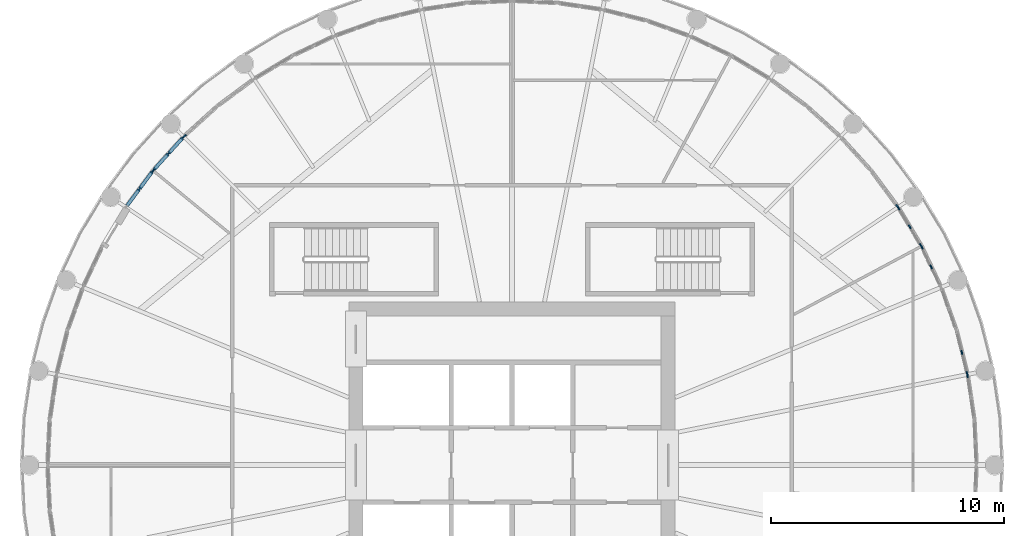
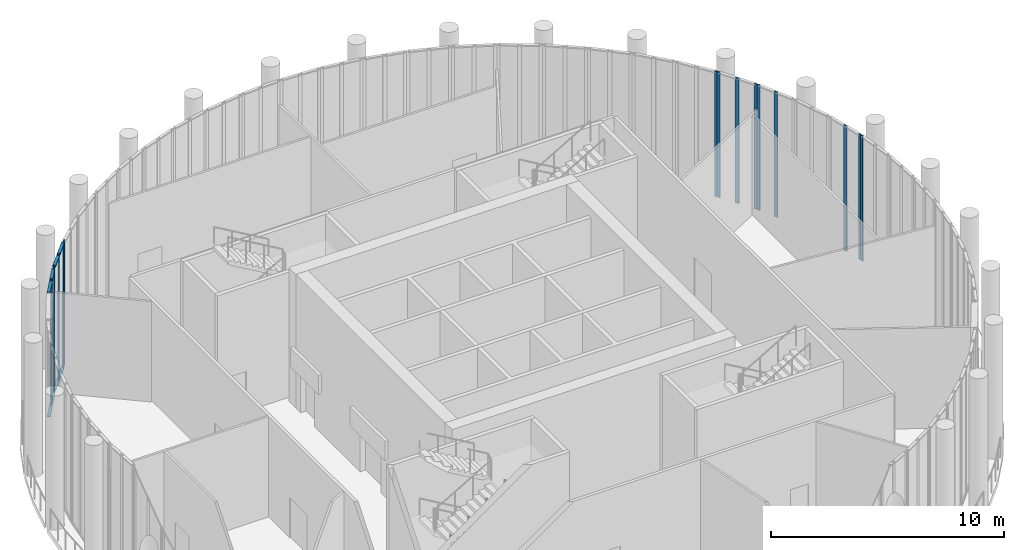
# One storey, part 6 of 21: 23 members, 8 elements without a shape of their own.
"""IFC4 building model written with IfcOpenShell, lengths in metres."""

from ifc_helpers import new_model, si_unit, direction, frame, origin, origin_2d, place, context, subcontext, project, spatial, rectangle, extrude, material, material_profile, profile_set, type_object, element, aggregate, save


model = new_model("IFC4")

# Units and contexts
model_context = context("Model", 3, precision=1e-05, world=origin(), true_north=direction((0.0, 1.0)))
body_context = subcontext(model_context, "Body", "Model", "MODEL_VIEW")
ifc_project = project(units=[si_unit("LENGTHUNIT", "METRE"), si_unit("AREAUNIT", "SQUARE_METRE"), si_unit("VOLUMEUNIT", "CUBIC_METRE"), si_unit("PLANEANGLEUNIT", "RADIAN"), si_unit("MASSUNIT", "GRAM", prefix="KILO")], contexts=[model_context])

# Site, building, storey
site_placement = place(None, origin())
site = spatial("IfcSite", under=ifc_project, at=site_placement, CompositionType="ELEMENT")
building_placement = place(site_placement, origin())
building = spatial("IfcBuilding", under=site, at=building_placement, Name="Corvane Civic Tower", CompositionType="ELEMENT")
storey_placement = place(building_placement, frame((0.0, 0.0, 380.5)))
storey = spatial("IfcBuildingStorey", under=building, at=storey_placement, Name="L91", CompositionType="ELEMENT", Elevation=380.5)

# Curtain wall, member
ifc_material_1 = material(Name="Aluminium and glass", Category="aluminium")
curtain_wall_type = type_object("IfcCurtainWallType", Name="CROWN-CW-O-RUN", PredefinedType="NOTDEFINED", material=ifc_material_1)
curtain_wall_1_placement = place(storey_placement, origin())
curtain_wall_1 = element("IfcCurtainWall", 1, at=curtain_wall_1_placement, inside=storey, type_object=curtain_wall_type, Name="CW-O run L91 8", PredefinedType="NOTDEFINED")
ifc_material_2 = material(Name="Anodised aluminium bronze", Category="aluminium")
ifc_material_profile_1 = material_profile(ifc_material_2, rectangle(XDim=0.06005859375, YDim=0.179931640625, at=origin_2d()), Name="AL 60x180")
ifc_profile_set_1 = profile_set([ifc_material_profile_1], Name="Anodised aluminium bronze")
member_type_1 = type_object("IfcMemberType", Name="CROWN-CWO-MULLION-60x180", PredefinedType="MULLION", material=ifc_profile_set_1)
member_1_placement = place(storey_placement, frame((-14.044677734375, 14.10888671875, 0.0), z_axis=(0.0, 0.0, 1.0), x_axis=(0.671566717692, -0.740944089448, 0.0)))
member_1 = element("IfcMember", 2, at=member_1_placement, type_object=member_type_1, Name="CW-O mullion 3", PredefinedType="MULLION", context=body_context, shape_type="SweptSolid", body=[
    extrude(rectangle(XDim=0.06005859375, YDim=0.179931640625, at=origin_2d()), origin(), (0.0, 0.0, 1.0), 6.550048828125),
])
aggregate(curtain_wall_1, [member_1])

# Curtain wall, members
curtain_wall_2_placement = place(storey_placement, origin())
curtain_wall_2 = element("IfcCurtainWall", 3, at=curtain_wall_2_placement, inside=storey, type_object=curtain_wall_type, Name="CW-O run L91 9", PredefinedType="NOTDEFINED")
member_2_placement = place(storey_placement, frame((-14.10888671875, 14.044677734375, 0.0), z_axis=(0.0, 0.0, 1.0), x_axis=(0.740944089448, -0.671566717692, 0.0)))
member_2 = element("IfcMember", 4, at=member_2_placement, type_object=member_type_1, Name="CW-O mullion 1", PredefinedType="MULLION", context=body_context, shape_type="SweptSolid", body=[
    extrude(rectangle(XDim=0.06005859375, YDim=0.179931640625, at=origin_2d()), origin(), (0.0, 0.0, 1.0), 6.550048828125),
])
member_3_placement = place(storey_placement, frame((-14.734375, 13.3544921875, 0.0), z_axis=(0.0, 0.0, 1.0), x_axis=(0.740944089448, -0.671566717692, 0.0)))
member_3 = element("IfcMember", 5, at=member_3_placement, type_object=member_type_1, Name="CW-O mullion 2", PredefinedType="MULLION", context=body_context, shape_type="SweptSolid", body=[
    extrude(rectangle(XDim=0.06005859375, YDim=0.179931640625, at=origin_2d()), origin(), (0.0, 0.0, 1.0), 6.550048828125),
])
member_4_placement = place(storey_placement, frame((-15.35986328125, 12.664306640625, 0.0), z_axis=(0.0, 0.0, 1.0), x_axis=(0.740944089448, -0.671566717692, 0.0)))
member_4 = element("IfcMember", 6, at=member_4_placement, type_object=member_type_1, Name="CW-O mullion 3", PredefinedType="MULLION", context=body_context, shape_type="SweptSolid", body=[
    extrude(rectangle(XDim=0.06005859375, YDim=0.179931640625, at=origin_2d()), origin(), (0.0, 0.0, 1.0), 6.550048828125),
])

curtain_wall_3_placement = place(storey_placement, origin())
curtain_wall_3 = element("IfcCurtainWall", 7, at=curtain_wall_3_placement, inside=storey, type_object=curtain_wall_type, Name="CW-O run L91 10", PredefinedType="NOTDEFINED")
member_5_placement = place(storey_placement, frame((-15.417724609375, 12.593994140625, 0.0), z_axis=(0.0, 0.0, 1.0), x_axis=(0.803190345058, -0.595722477003, 0.0)))
member_5 = element("IfcMember", 8, at=member_5_placement, type_object=member_type_1, Name="CW-O mullion 1", PredefinedType="MULLION", context=body_context, shape_type="SweptSolid", body=[
    extrude(rectangle(XDim=0.06005859375, YDim=0.179931640625, at=origin_2d()), origin(), (0.0, 0.0, 1.0), 6.550048828125),
])
member_6_placement = place(storey_placement, frame((-15.972412109375, 11.845947265625, 0.0), z_axis=(0.0, 0.0, 1.0), x_axis=(0.803190345058, -0.595722477003, 0.0)))
member_6 = element("IfcMember", 9, at=member_6_placement, type_object=member_type_1, Name="CW-O mullion 2", PredefinedType="MULLION", context=body_context, shape_type="SweptSolid", body=[
    extrude(rectangle(XDim=0.06005859375, YDim=0.179931640625, at=origin_2d()), origin(), (0.0, 0.0, 1.0), 6.550048828125),
])

# Curtain wall, member
curtain_wall_4_placement = place(storey_placement, origin())
curtain_wall_4 = element("IfcCurtainWall", 10, at=curtain_wall_4_placement, inside=storey, type_object=curtain_wall_type, Name="CW-O run L91 50", PredefinedType="NOTDEFINED")
member_7_placement = place(storey_placement, frame((19.533935546875, 3.839111328125, 0.0), z_axis=(0.0, 0.0, 1.0), x_axis=(-0.989170486303, -0.146771076941, 0.0)))
member_7 = element("IfcMember", 11, at=member_7_placement, type_object=member_type_1, Name="CW-O mullion 3", PredefinedType="MULLION", context=body_context, shape_type="SweptSolid", body=[
    extrude(rectangle(XDim=0.06005859375, YDim=0.179931640625, at=origin_2d()), origin(), (0.0, 0.0, 1.0), 6.550048828125),
])
aggregate(curtain_wall_4, [member_7])

# Curtain wall, members
curtain_wall_5_placement = place(storey_placement, origin())
curtain_wall_5 = element("IfcCurtainWall", 12, at=curtain_wall_5_placement, inside=storey, type_object=curtain_wall_type, Name="CW-O run L91 51", PredefinedType="NOTDEFINED")
member_8_placement = place(storey_placement, frame((19.516357421875, 3.928466796875, 0.0), z_axis=(0.0, 0.0, 1.0), x_axis=(-0.970038385347, -0.242951704982, 0.0)))
member_8 = element("IfcMember", 13, at=member_8_placement, type_object=member_type_1, Name="CW-O mullion 1", PredefinedType="MULLION", context=body_context, shape_type="SweptSolid", body=[
    extrude(rectangle(XDim=0.06005859375, YDim=0.179931640625, at=origin_2d()), origin(), (0.0, 0.0, 1.0), 6.550048828125),
])
member_9_placement = place(storey_placement, frame((19.2900390625, 4.831787109375, 0.0), z_axis=(0.0, 0.0, 1.0), x_axis=(-0.970038385347, -0.242951704982, 0.0)))
member_9 = element("IfcMember", 14, at=member_9_placement, type_object=member_type_1, Name="CW-O mullion 2", PredefinedType="MULLION", context=body_context, shape_type="SweptSolid", body=[
    extrude(rectangle(XDim=0.06005859375, YDim=0.179931640625, at=origin_2d()), origin(), (0.0, 0.0, 1.0), 6.550048828125),
])
aggregate(curtain_wall_5, [member_8, member_9])

curtain_wall_6_placement = place(storey_placement, origin())
curtain_wall_6 = element("IfcCurtainWall", 15, at=curtain_wall_6_placement, inside=storey, type_object=curtain_wall_type, Name="CW-O run L91 53", PredefinedType="NOTDEFINED")
member_10_placement = place(storey_placement, frame((17.9765625, 8.502197265625, 0.0), z_axis=(0.0, 0.0, 1.0), x_axis=(-0.904010875684, -0.427509457959, 0.0)))
member_10 = element("IfcMember", 16, at=member_10_placement, type_object=member_type_1, Name="CW-O mullion 2", PredefinedType="MULLION", context=body_context, shape_type="SweptSolid", body=[
    extrude(rectangle(XDim=0.06005859375, YDim=0.179931640625, at=origin_2d()), origin(), (0.0, 0.0, 1.0), 6.550048828125),
])
member_11_placement = place(storey_placement, frame((17.578369140625, 9.34423828125, 0.0), z_axis=(0.0, 0.0, 1.0), x_axis=(-0.904010875684, -0.427509457959, 0.0)))
member_11 = element("IfcMember", 17, at=member_11_placement, type_object=member_type_1, Name="CW-O mullion 3", PredefinedType="MULLION", context=body_context, shape_type="SweptSolid", body=[
    extrude(rectangle(XDim=0.06005859375, YDim=0.179931640625, at=origin_2d()), origin(), (0.0, 0.0, 1.0), 6.550048828125),
])
aggregate(curtain_wall_6, [member_10, member_11])

curtain_wall_7_placement = place(storey_placement, origin())
curtain_wall_7 = element("IfcCurtainWall", 18, at=curtain_wall_7_placement, inside=storey, type_object=curtain_wall_type, Name="CW-O run L91 54", PredefinedType="NOTDEFINED")
member_12_placement = place(storey_placement, frame((17.53564453125, 9.424560546875, 0.0), z_axis=(0.0, 0.0, 1.0), x_axis=(-0.857699380043, -0.514151508287, 0.0)))
member_12 = element("IfcMember", 19, at=member_12_placement, type_object=member_type_1, Name="CW-O mullion 1", PredefinedType="MULLION", context=body_context, shape_type="SweptSolid", body=[
    extrude(rectangle(XDim=0.06005859375, YDim=0.179931640625, at=origin_2d()), origin(), (0.0, 0.0, 1.0), 6.550048828125),
])
member_13_placement = place(storey_placement, frame((17.056640625, 10.223388671875, 0.0), z_axis=(0.0, 0.0, 1.0), x_axis=(-0.857699380043, -0.514151508287, 0.0)))
member_13 = element("IfcMember", 20, at=member_13_placement, type_object=member_type_1, Name="CW-O mullion 2", PredefinedType="MULLION", context=body_context, shape_type="SweptSolid", body=[
    extrude(rectangle(XDim=0.06005859375, YDim=0.179931640625, at=origin_2d()), origin(), (0.0, 0.0, 1.0), 6.550048828125),
])
member_14_placement = place(storey_placement, frame((16.577880859375, 11.022216796875, 0.0), z_axis=(0.0, 0.0, 1.0), x_axis=(-0.857699380043, -0.514151508287, 0.0)))
member_14 = element("IfcMember", 21, at=member_14_placement, type_object=member_type_1, Name="CW-O mullion 3", PredefinedType="MULLION", context=body_context, shape_type="SweptSolid", body=[
    extrude(rectangle(XDim=0.06005859375, YDim=0.179931640625, at=origin_2d()), origin(), (0.0, 0.0, 1.0), 6.550048828125),
])
aggregate(curtain_wall_7, [member_12, member_13, member_14])

# Curtain wall, member
curtain_wall_8_placement = place(storey_placement, origin())
curtain_wall_8 = element("IfcCurtainWall", 22, at=curtain_wall_8_placement, inside=storey, type_object=curtain_wall_type, Name="CW-O run L91 55", PredefinedType="NOTDEFINED")
member_15_placement = place(storey_placement, frame((16.52734375, 11.097900390625, 0.0), z_axis=(0.0, 0.0, 1.0), x_axis=(-0.803190345058, -0.595722477003, 0.0)))
member_15 = element("IfcMember", 23, at=member_15_placement, type_object=member_type_1, Name="CW-O mullion 1", PredefinedType="MULLION", context=body_context, shape_type="SweptSolid", body=[
    extrude(rectangle(XDim=0.06005859375, YDim=0.179931640625, at=origin_2d()), origin(), (0.0, 0.0, 1.0), 6.550048828125),
])
aggregate(curtain_wall_8, [member_15])

# Member
ifc_material_3 = material(Name="Anodised aluminium bronze", Category="aluminium")
ifc_material_profile_2 = material_profile(ifc_material_3, rectangle(XDim=0.139892578125, YDim=0.06005859375, at=origin_2d()), Name="AL 140x60")
ifc_profile_set_2 = profile_set([ifc_material_profile_2], Name="Anodised aluminium bronze")
member_type_2 = type_object("IfcMemberType", Name="CROWN-CWO-TRANSOM-60x140", PredefinedType="USERDEFINED", material=ifc_profile_set_2)
member_16_placement = place(storey_placement, frame((-14.129150390625, 14.0224609375, 0.030029296875), z_axis=(-0.671514617897, -0.740991307608, 0.0), x_axis=(0.740991307608, -0.671514617897, 0.0)))
member_16 = element("IfcMember", 24, at=member_16_placement, type_object=member_type_2, Name="CW-O transom 1.1", ObjectType="TRANSOM", PredefinedType="USERDEFINED", context=body_context, shape_type="SweptSolid", body=[
    extrude(rectangle(XDim=0.139892578125, YDim=0.06005859375, at=origin_2d()), origin(), (0.0, 0.0, 1.0), 0.87158203125),
])

member_17_placement = place(storey_placement, frame((-14.129150390625, 14.0224609375, 6.52001953125), z_axis=(-0.671514617897, -0.740991307608, 0.0), x_axis=(0.740991307608, -0.671514617897, 0.0)))
member_17 = element("IfcMember", 25, at=member_17_placement, type_object=member_type_2, Name="CW-O transom 1.2", ObjectType="TRANSOM", PredefinedType="USERDEFINED", context=body_context, shape_type="SweptSolid", body=[
    extrude(rectangle(XDim=0.139892578125, YDim=0.06005859375, at=origin_2d()), origin(), (0.0, 0.0, 1.0), 0.87158203125),
])

member_18_placement = place(storey_placement, frame((-14.754638671875, 13.332275390625, 0.030029296875), z_axis=(-0.671514617897, -0.740991307608, 0.0), x_axis=(0.740991307608, -0.671514617897, 0.0)))
member_18 = element("IfcMember", 26, at=member_18_placement, type_object=member_type_2, Name="CW-O transom 2.1", ObjectType="TRANSOM", PredefinedType="USERDEFINED", context=body_context, shape_type="SweptSolid", body=[
    extrude(rectangle(XDim=0.139892578125, YDim=0.06005859375, at=origin_2d()), origin(), (0.0, 0.0, 1.0), 0.87158203125),
])

member_19_placement = place(storey_placement, frame((-14.754638671875, 13.332275390625, 6.52001953125), z_axis=(-0.671514617897, -0.740991307608, 0.0), x_axis=(0.740991307608, -0.671514617897, 0.0)))
member_19 = element("IfcMember", 27, at=member_19_placement, type_object=member_type_2, Name="CW-O transom 2.2", ObjectType="TRANSOM", PredefinedType="USERDEFINED", context=body_context, shape_type="SweptSolid", body=[
    extrude(rectangle(XDim=0.139892578125, YDim=0.06005859375, at=origin_2d()), origin(), (0.0, 0.0, 1.0), 0.87158203125),
])

aggregate(curtain_wall_2, [member_2, member_3, member_4, member_16, member_17, member_18, member_19])

member_20_placement = place(storey_placement, frame((-15.435546875, 12.56982421875, 0.030029296875), z_axis=(-0.595776957512, -0.803149934257, 0.0), x_axis=(0.803149934257, -0.595776957512, 0.0)))
member_20 = element("IfcMember", 28, at=member_20_placement, type_object=member_type_2, Name="CW-O transom 1.1", ObjectType="TRANSOM", PredefinedType="USERDEFINED", context=body_context, shape_type="SweptSolid", body=[
    extrude(rectangle(XDim=0.139892578125, YDim=0.06005859375, at=origin_2d()), origin(), (0.0, 0.0, 1.0), 0.87109375),
])

member_21_placement = place(storey_placement, frame((-15.435546875, 12.56982421875, 6.52001953125), z_axis=(-0.595776957512, -0.803149934257, 0.0), x_axis=(0.803149934257, -0.595776957512, 0.0)))
member_21 = element("IfcMember", 29, at=member_21_placement, type_object=member_type_2, Name="CW-O transom 1.2", ObjectType="TRANSOM", PredefinedType="USERDEFINED", context=body_context, shape_type="SweptSolid", body=[
    extrude(rectangle(XDim=0.139892578125, YDim=0.06005859375, at=origin_2d()), origin(), (0.0, 0.0, 1.0), 0.87109375),
])

member_22_placement = place(storey_placement, frame((-15.990478515625, 11.82177734375, 0.030029296875), z_axis=(-0.595776957512, -0.803149934257, 0.0), x_axis=(0.803149934257, -0.595776957512, 0.0)))
member_22 = element("IfcMember", 30, at=member_22_placement, type_object=member_type_2, Name="CW-O transom 2.1", ObjectType="TRANSOM", PredefinedType="USERDEFINED", context=body_context, shape_type="SweptSolid", body=[
    extrude(rectangle(XDim=0.139892578125, YDim=0.06005859375, at=origin_2d()), origin(), (0.0, 0.0, 1.0), 0.87109375),
])

member_23_placement = place(storey_placement, frame((-15.990478515625, 11.82177734375, 6.52001953125), z_axis=(-0.595776957512, -0.803149934257, 0.0), x_axis=(0.803149934257, -0.595776957512, 0.0)))
member_23 = element("IfcMember", 31, at=member_23_placement, type_object=member_type_2, Name="CW-O transom 2.2", ObjectType="TRANSOM", PredefinedType="USERDEFINED", context=body_context, shape_type="SweptSolid", body=[
    extrude(rectangle(XDim=0.139892578125, YDim=0.06005859375, at=origin_2d()), origin(), (0.0, 0.0, 1.0), 0.87109375),
])

aggregate(curtain_wall_3, [member_5, member_6, member_20, member_21, member_22, member_23])

save(model, "model.ifc")
